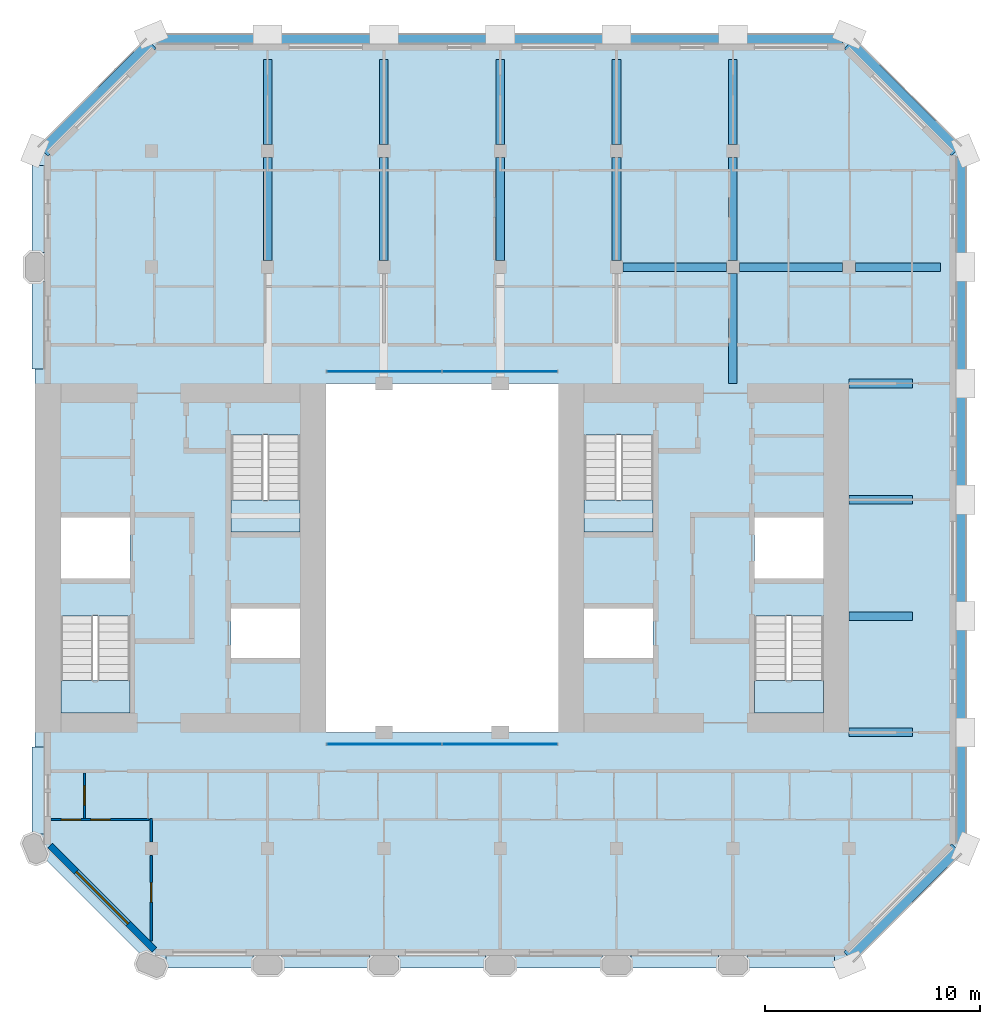
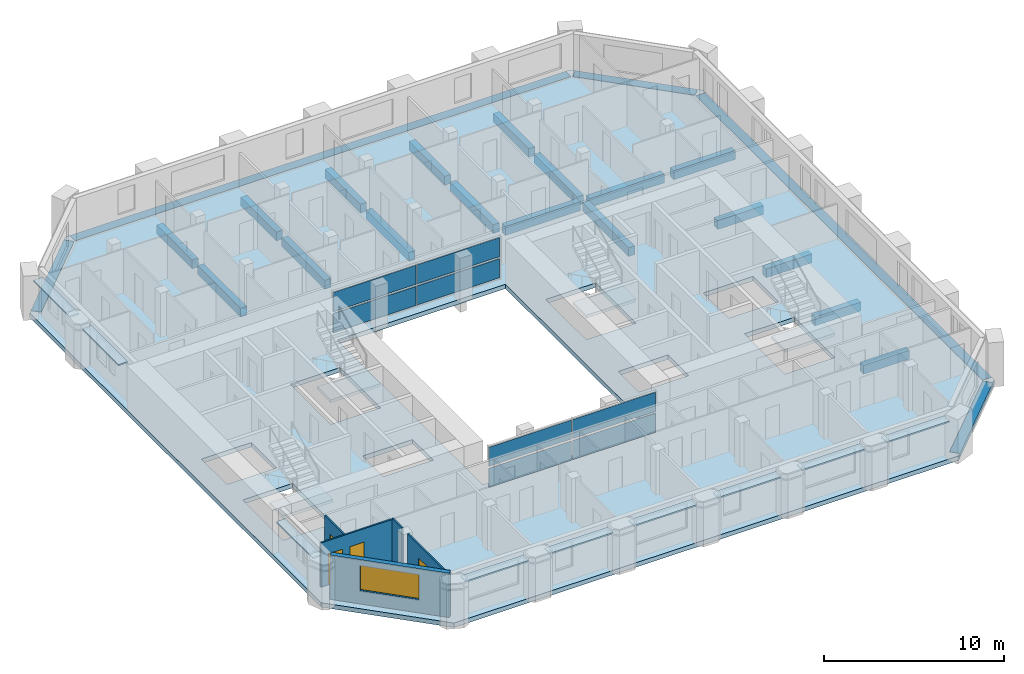
# One storey, part 3 of 13: 23 beams, 17 plates, 5 slabs, 5 walls, 4 doors, 1 window, 5 openings, 6 elements without a shape of their own.
"""IFC4 building model written with IfcOpenShell, lengths in metres."""

from ifc_helpers import new_model, si_unit, direction, frame, frame_2d, origin, origin_2d, place, context, subcontext, project, spatial, polyline, rectangle, outline, extrude, material, layer, layer_set, material_profile, profile_set, type_object, element, fill, aggregate, save


model = new_model("IFC4")

# Units and contexts
model_context = context("Model", 3, precision=1e-05, world=origin(), true_north=direction((0.0, 1.0)))
body_context = subcontext(model_context, "Body", "Model", "MODEL_VIEW")
ifc_project = project(units=[si_unit("LENGTHUNIT", "METRE"), si_unit("AREAUNIT", "SQUARE_METRE"), si_unit("VOLUMEUNIT", "CUBIC_METRE"), si_unit("PLANEANGLEUNIT", "RADIAN"), si_unit("MASSUNIT", "GRAM", prefix="KILO")], contexts=[model_context])

# Site, building, storey
site_placement = place(None, origin())
site = spatial("IfcSite", under=ifc_project, at=site_placement, CompositionType="ELEMENT")
building_placement = place(site_placement, origin())
building = spatial("IfcBuilding", under=site, at=building_placement, Name="Tabaq Tower and Sports Hall", CompositionType="ELEMENT")
storey_placement = place(building_placement, frame((0.0, 0.0, 301.60009765625)))
storey = spatial("IfcBuildingStorey", under=building, at=storey_placement, Name="L75", CompositionType="ELEMENT", Elevation=301.60009765625)

# Beams
ifc_material_1 = material(Name="Concrete C40/50", Category="concrete")
ifc_material_profile_1 = material_profile(ifc_material_1, rectangle(XDim=0.39990234375, YDim=0.60009765625, at=origin_2d()), Name="CB 400x600")
ifc_profile_set_1 = profile_set([ifc_material_profile_1], Name="Concrete C40/50")
beam_type_1 = type_object("IfcBeamType", Name="PT CANTILEVER BEAM CB 400x600 C40/50", PredefinedType="BEAM", material=ifc_profile_set_1)
for number, where, z_axis, x_axis, name in (
    (1, (46.14990234375, 16.199951171875, -0.60009765625), (-1.0, 0.0, 0.0), (0.0, -1.0, 0.0), "Cantilever Beam L75 E3 span 1"),
    (2, (46.14990234375, 21.60009765625, -0.60009765625), (-1.0, 0.0, 0.0), (0.0, -1.0, 0.0), "Cantilever Beam L75 E4 span 1"),
    (3, (46.14990234375, 27.0, -0.60009765625), (-1.0, 0.0, 0.0), (0.0, -1.0, 0.0), "Cantilever Beam L75 E5 span 1"),
    (4, (46.14990234375, 32.39990234375, -0.60009765625), (-1.0, 0.0, 0.0), (0.0, -1.0, 0.0), "Cantilever Beam L75 E6 span 1"),
):
    element("IfcBeam", number, at=place(storey_placement, frame(where, z_axis=z_axis, x_axis=x_axis)), inside=storey, type_object=beam_type_1, Name=name, PredefinedType="BEAM", context=body_context, shape_type="SweptSolid", body=[
        extrude(rectangle(XDim=0.39990234375, YDim=0.60009765625, at=origin_2d()), origin(), (0.0, 0.0, 1.0), 2.949951171875),
    ])
beam_1_placement = place(storey_placement, frame((47.449951171875, 37.800048828125, -0.60009765625), z_axis=(-1.0, 0.0, 0.0), x_axis=(0.0, -1.0, 0.0)))
element("IfcBeam", 5, at=beam_1_placement, inside=storey, type_object=beam_type_1, Name="Cantilever Beam L75 E7 span 1", PredefinedType="BEAM", context=body_context, shape_type="SweptSolid", body=[
    extrude(rectangle(XDim=0.39990234375, YDim=0.60009765625, at=origin_2d()), origin(), (0.0, 0.0, 1.0), 3.949951171875),
])
beam_2_placement = place(storey_placement, frame((42.89990234375, 37.800048828125, -0.60009765625), z_axis=(-1.0, 0.0, 0.0), x_axis=(0.0, -1.0, 0.0)))
element("IfcBeam", 6, at=beam_2_placement, inside=storey, type_object=beam_type_1, Name="Cantilever Beam L75 E7 span 2", PredefinedType="BEAM", context=body_context, shape_type="SweptSolid", body=[
    extrude(rectangle(XDim=0.39990234375, YDim=0.60009765625, at=origin_2d()), origin(), (0.0, 0.0, 1.0), 4.7998046875),
])
beam_3_placement = place(storey_placement, frame((37.5, 37.800048828125, -0.60009765625), z_axis=(-1.0, 0.0, 0.0), x_axis=(0.0, -1.0, 0.0)))
element("IfcBeam", 7, at=beam_3_placement, inside=storey, type_object=beam_type_1, Name="Cantilever Beam L75 E7 span 3", PredefinedType="BEAM", context=body_context, shape_type="SweptSolid", body=[
    extrude(rectangle(XDim=0.39990234375, YDim=0.60009765625, at=origin_2d()), origin(), (0.0, 0.0, 1.0), 4.800048828125),
])
beam_4_placement = place(storey_placement, frame((16.199951171875, 47.449951171875, -0.60009765625), z_axis=(0.0, -1.0, 0.0), x_axis=(1.0, 0.0, 0.0)))
element("IfcBeam", 8, at=beam_4_placement, inside=storey, type_object=beam_type_1, Name="Cantilever Beam L75 N3 span 1", PredefinedType="BEAM", context=body_context, shape_type="SweptSolid", body=[
    extrude(rectangle(XDim=0.39990234375, YDim=0.60009765625, at=origin_2d()), origin(), (0.0, 0.0, 1.0), 3.949951171875),
])
beam_5_placement = place(storey_placement, frame((16.199951171875, 42.89990234375, -0.60009765625), z_axis=(0.0, -1.0, 0.0), x_axis=(1.0, 0.0, 0.0)))
element("IfcBeam", 9, at=beam_5_placement, inside=storey, type_object=beam_type_1, Name="Cantilever Beam L75 N3 span 2", PredefinedType="BEAM", context=body_context, shape_type="SweptSolid", body=[
    extrude(rectangle(XDim=0.39990234375, YDim=0.60009765625, at=origin_2d()), origin(), (0.0, 0.0, 1.0), 4.7998046875),
])
beam_6_placement = place(storey_placement, frame((21.60009765625, 47.449951171875, -0.60009765625), z_axis=(0.0, -1.0, 0.0), x_axis=(1.0, 0.0, 0.0)))
element("IfcBeam", 10, at=beam_6_placement, inside=storey, type_object=beam_type_1, Name="Cantilever Beam L75 N4 span 1", PredefinedType="BEAM", context=body_context, shape_type="SweptSolid", body=[
    extrude(rectangle(XDim=0.39990234375, YDim=0.60009765625, at=origin_2d()), origin(), (0.0, 0.0, 1.0), 3.949951171875),
])
beam_7_placement = place(storey_placement, frame((21.60009765625, 42.89990234375, -0.60009765625), z_axis=(0.0, -1.0, 0.0), x_axis=(1.0, 0.0, 0.0)))
element("IfcBeam", 11, at=beam_7_placement, inside=storey, type_object=beam_type_1, Name="Cantilever Beam L75 N4 span 2", PredefinedType="BEAM", context=body_context, shape_type="SweptSolid", body=[
    extrude(rectangle(XDim=0.39990234375, YDim=0.60009765625, at=origin_2d()), origin(), (0.0, 0.0, 1.0), 4.7998046875),
])
beam_8_placement = place(storey_placement, frame((27.0, 47.449951171875, -0.60009765625), z_axis=(0.0, -1.0, 0.0), x_axis=(1.0, 0.0, 0.0)))
element("IfcBeam", 12, at=beam_8_placement, inside=storey, type_object=beam_type_1, Name="Cantilever Beam L75 N5 span 1", PredefinedType="BEAM", context=body_context, shape_type="SweptSolid", body=[
    extrude(rectangle(XDim=0.39990234375, YDim=0.60009765625, at=origin_2d()), origin(), (0.0, 0.0, 1.0), 3.949951171875),
])
beam_9_placement = place(storey_placement, frame((27.0, 42.89990234375, -0.60009765625), z_axis=(0.0, -1.0, 0.0), x_axis=(1.0, 0.0, 0.0)))
element("IfcBeam", 13, at=beam_9_placement, inside=storey, type_object=beam_type_1, Name="Cantilever Beam L75 N5 span 2", PredefinedType="BEAM", context=body_context, shape_type="SweptSolid", body=[
    extrude(rectangle(XDim=0.39990234375, YDim=0.60009765625, at=origin_2d()), origin(), (0.0, 0.0, 1.0), 4.7998046875),
])
beam_10_placement = place(storey_placement, frame((32.39990234375, 47.449951171875, -0.60009765625), z_axis=(0.0, -1.0, 0.0), x_axis=(1.0, 0.0, 0.0)))
element("IfcBeam", 14, at=beam_10_placement, inside=storey, type_object=beam_type_1, Name="Cantilever Beam L75 N6 span 1", PredefinedType="BEAM", context=body_context, shape_type="SweptSolid", body=[
    extrude(rectangle(XDim=0.39990234375, YDim=0.60009765625, at=origin_2d()), origin(), (0.0, 0.0, 1.0), 3.949951171875),
])
beam_11_placement = place(storey_placement, frame((32.39990234375, 42.89990234375, -0.60009765625), z_axis=(0.0, -1.0, 0.0), x_axis=(1.0, 0.0, 0.0)))
element("IfcBeam", 15, at=beam_11_placement, inside=storey, type_object=beam_type_1, Name="Cantilever Beam L75 N6 span 2", PredefinedType="BEAM", context=body_context, shape_type="SweptSolid", body=[
    extrude(rectangle(XDim=0.39990234375, YDim=0.60009765625, at=origin_2d()), origin(), (0.0, 0.0, 1.0), 4.7998046875),
])
beam_12_placement = place(storey_placement, frame((37.800048828125, 47.449951171875, -0.60009765625), z_axis=(0.0, -1.0, 0.0), x_axis=(1.0, 0.0, 0.0)))
element("IfcBeam", 16, at=beam_12_placement, inside=storey, type_object=beam_type_1, Name="Cantilever Beam L75 N7 span 1", PredefinedType="BEAM", context=body_context, shape_type="SweptSolid", body=[
    extrude(rectangle(XDim=0.39990234375, YDim=0.60009765625, at=origin_2d()), origin(), (0.0, 0.0, 1.0), 3.949951171875),
])
beam_13_placement = place(storey_placement, frame((37.800048828125, 42.89990234375, -0.60009765625), z_axis=(0.0, -1.0, 0.0), x_axis=(1.0, 0.0, 0.0)))
element("IfcBeam", 17, at=beam_13_placement, inside=storey, type_object=beam_type_1, Name="Cantilever Beam L75 N7 span 2", PredefinedType="BEAM", context=body_context, shape_type="SweptSolid", body=[
    extrude(rectangle(XDim=0.39990234375, YDim=0.60009765625, at=origin_2d()), origin(), (0.0, 0.0, 1.0), 4.7998046875),
])
beam_14_placement = place(storey_placement, frame((37.800048828125, 37.5, -0.60009765625), z_axis=(0.0, -1.0, 0.0), x_axis=(1.0, 0.0, 0.0)))
element("IfcBeam", 18, at=beam_14_placement, inside=storey, type_object=beam_type_1, Name="Cantilever Beam L75 N7 span 3", PredefinedType="BEAM", context=body_context, shape_type="SweptSolid", body=[
    extrude(rectangle(XDim=0.39990234375, YDim=0.60009765625, at=origin_2d()), origin(), (0.0, 0.0, 1.0), 5.10009765625),
])
ifc_material_2 = material(Name="Concrete C40/50", Category="concrete")
ifc_material_profile_2 = material_profile(ifc_material_2, rectangle(XDim=0.60009765625, YDim=0.300048828125, at=origin_2d()), Name="EB 600x300")
ifc_profile_set_2 = profile_set([ifc_material_profile_2], Name="Concrete C40/50")
beam_type_2 = type_object("IfcBeamType", Name="PT EDGE BEAM EB 600x300 C40/50", PredefinedType="SPANDREL", material=ifc_profile_set_2)
beam_15_placement = place(storey_placement, frame((43.16455078125, 5.788818359375, -0.150146484375), z_axis=(0.707106781187, 0.707106781187, 0.0), x_axis=(-0.707106781187, 0.707106781187, 0.0)))
element("IfcBeam", 19, at=beam_15_placement, inside=storey, type_object=beam_type_2, Name="Edge Beam L75 1", PredefinedType="SPANDREL", context=body_context, shape_type="SweptSolid", body=[
    extrude(rectangle(XDim=0.60009765625, YDim=0.300048828125, at=origin_2d()), origin(), (0.0, 0.0, 1.0), 7.08837890625),
])
beam_16_placement = place(storey_placement, frame((48.300048828125, 11.0986328125, -0.150146484375), z_axis=(0.0, 1.0, 0.0), x_axis=(-1.0, 0.0, 0.0)))
element("IfcBeam", 20, at=beam_16_placement, inside=storey, type_object=beam_type_2, Name="Edge Beam L75 2", PredefinedType="SPANDREL", context=body_context, shape_type="SweptSolid", body=[
    extrude(rectangle(XDim=0.60009765625, YDim=0.300048828125, at=origin_2d()), origin(), (0.0, 0.0, 1.0), 31.802734375),
])
beam_17_placement = place(storey_placement, frame((48.1767578125, 43.198974609375, -0.150146484375), z_axis=(-0.707106781187, 0.707106781187, 0.0), x_axis=(-0.707106781187, -0.707106781187, 0.0)))
element("IfcBeam", 21, at=beam_17_placement, inside=storey, type_object=beam_type_2, Name="Edge Beam L75 3", PredefinedType="SPANDREL", context=body_context, shape_type="SweptSolid", body=[
    extrude(rectangle(XDim=0.60009765625, YDim=0.300048828125, at=origin_2d()), origin(), (0.0, 0.0, 1.0), 7.03955078125),
])
beam_18_placement = place(storey_placement, frame((42.9013671875, 48.300048828125, -0.150146484375), z_axis=(-1.0, 0.0, 0.0), x_axis=(0.0, -1.0, 0.0)))
element("IfcBeam", 22, at=beam_18_placement, inside=storey, type_object=beam_type_2, Name="Edge Beam L75 4", PredefinedType="SPANDREL", context=body_context, shape_type="SweptSolid", body=[
    extrude(rectangle(XDim=0.60009765625, YDim=0.300048828125, at=origin_2d()), origin(), (0.0, 0.0, 1.0), 31.802734375),
])
beam_19_placement = place(storey_placement, frame((10.801025390625, 48.1767578125, -0.150146484375), z_axis=(-0.707106781187, -0.707106781187, 0.0), x_axis=(0.707106781187, -0.707106781187, 0.0)))
element("IfcBeam", 23, at=beam_19_placement, inside=storey, type_object=beam_type_2, Name="Edge Beam L75 5", PredefinedType="SPANDREL", context=body_context, shape_type="SweptSolid", body=[
    extrude(rectangle(XDim=0.60009765625, YDim=0.300048828125, at=origin_2d()), origin(), (0.0, 0.0, 1.0), 7.08837890625),
])

# Curtain wall, plates
ifc_material_3 = material(Name="Aluminium alloy 6063-T6 framed glazing", Category="aluminium")
curtain_wall_type = type_object("IfcCurtainWallType", Name="CW1 curtain wall", PredefinedType="USERDEFINED", material=ifc_material_3)
curtain_wall_1_placement = place(storey_placement, origin())
curtain_wall_1 = element("IfcCurtainWall", 24, at=curtain_wall_1_placement, inside=storey, type_object=curtain_wall_type, Name="Atrium glazing L75 S", ObjectType="ATRIUM ENCLOSURE", PredefinedType="USERDEFINED")
ifc_material_4 = material(Name="Clear low-emissivity glass 28 mm", Category="glass")
ifc_layer_1 = layer(ifc_material_4, 0.028076171875)
ifc_layer_set_1 = layer_set([ifc_layer_1], Name="CW1 glass panel 28")
plate_type_1 = type_object("IfcPlateType", Name="CW1 glass panel 28", PredefinedType="CURTAIN_PANEL", material=ifc_layer_set_1)
plate_1_placement = place(storey_placement, frame((21.614990234375, 15.64990234375, 0.139892578125), z_axis=(0.0, 0.0, 1.0), x_axis=(1.0, 0.0, 0.0)))
plate_1 = element("IfcPlate", 25, at=plate_1_placement, type_object=plate_type_1, Name="CW1 panel 1.1", PredefinedType="CURTAIN_PANEL", context=body_context, shape_type="SweptSolid", body=[
    extrude(rectangle(XDim=5.31005859375, YDim=0.028076171875, at=origin_2d()), origin(), (0.0, 0.0, 1.0), 1.2900390625),
])
plate_2_placement = place(storey_placement, frame((21.614990234375, 15.64990234375, 1.56982421875), z_axis=(0.0, 0.0, 1.0), x_axis=(1.0, 0.0, 0.0)))
plate_2 = element("IfcPlate", 26, at=plate_2_placement, type_object=plate_type_1, Name="CW1 panel 1.2", PredefinedType="CURTAIN_PANEL", context=body_context, shape_type="SweptSolid", body=[
    extrude(rectangle(XDim=5.31005859375, YDim=0.028076171875, at=origin_2d()), origin(), (0.0, 0.0, 1.0), 1.2900390625),
])
plate_3_placement = place(storey_placement, frame((26.985107421875, 15.64990234375, 0.139892578125), z_axis=(0.0, 0.0, 1.0), x_axis=(1.0, 0.0, 0.0)))
plate_3 = element("IfcPlate", 27, at=plate_3_placement, type_object=plate_type_1, Name="CW1 panel 2.1", PredefinedType="CURTAIN_PANEL", context=body_context, shape_type="SweptSolid", body=[
    extrude(rectangle(XDim=5.31005859375, YDim=0.028076171875, at=origin_2d()), origin(), (0.0, 0.0, 1.0), 1.2900390625),
])
plate_4_placement = place(storey_placement, frame((26.985107421875, 15.64990234375, 1.56982421875), z_axis=(0.0, 0.0, 1.0), x_axis=(1.0, 0.0, 0.0)))
plate_4 = element("IfcPlate", 28, at=plate_4_placement, type_object=plate_type_1, Name="CW1 panel 2.2", PredefinedType="CURTAIN_PANEL", context=body_context, shape_type="SweptSolid", body=[
    extrude(rectangle(XDim=5.31005859375, YDim=0.028076171875, at=origin_2d()), origin(), (0.0, 0.0, 1.0), 1.2900390625),
])
aggregate(curtain_wall_1, [plate_1, plate_2, plate_3, plate_4])

curtain_wall_2_placement = place(storey_placement, origin())
curtain_wall_2 = element("IfcCurtainWall", 29, at=curtain_wall_2_placement, inside=storey, type_object=curtain_wall_type, Name="Atrium glazing L75 N", ObjectType="ATRIUM ENCLOSURE", PredefinedType="USERDEFINED")
plate_5_placement = place(storey_placement, frame((21.614990234375, 32.949951171875, 0.139892578125), z_axis=(0.0, 0.0, 1.0), x_axis=(1.0, 0.0, 0.0)))
plate_5 = element("IfcPlate", 30, at=plate_5_placement, type_object=plate_type_1, Name="CW1 panel 1.1", PredefinedType="CURTAIN_PANEL", context=body_context, shape_type="SweptSolid", body=[
    extrude(rectangle(XDim=5.31005859375, YDim=0.028076171875, at=origin_2d()), origin(), (0.0, 0.0, 1.0), 1.2900390625),
])
plate_6_placement = place(storey_placement, frame((21.614990234375, 32.949951171875, 1.56982421875), z_axis=(0.0, 0.0, 1.0), x_axis=(1.0, 0.0, 0.0)))
plate_6 = element("IfcPlate", 31, at=plate_6_placement, type_object=plate_type_1, Name="CW1 panel 1.2", PredefinedType="CURTAIN_PANEL", context=body_context, shape_type="SweptSolid", body=[
    extrude(rectangle(XDim=5.31005859375, YDim=0.028076171875, at=origin_2d()), origin(), (0.0, 0.0, 1.0), 1.2900390625),
])
plate_7_placement = place(storey_placement, frame((26.985107421875, 32.949951171875, 0.139892578125), z_axis=(0.0, 0.0, 1.0), x_axis=(1.0, 0.0, 0.0)))
plate_7 = element("IfcPlate", 32, at=plate_7_placement, type_object=plate_type_1, Name="CW1 panel 2.1", PredefinedType="CURTAIN_PANEL", context=body_context, shape_type="SweptSolid", body=[
    extrude(rectangle(XDim=5.31005859375, YDim=0.028076171875, at=origin_2d()), origin(), (0.0, 0.0, 1.0), 1.2900390625),
])
plate_8_placement = place(storey_placement, frame((26.985107421875, 32.949951171875, 1.56982421875), z_axis=(0.0, 0.0, 1.0), x_axis=(1.0, 0.0, 0.0)))
plate_8 = element("IfcPlate", 33, at=plate_8_placement, type_object=plate_type_1, Name="CW1 panel 2.2", PredefinedType="CURTAIN_PANEL", context=body_context, shape_type="SweptSolid", body=[
    extrude(rectangle(XDim=5.31005859375, YDim=0.028076171875, at=origin_2d()), origin(), (0.0, 0.0, 1.0), 1.2900390625),
])
aggregate(curtain_wall_2, [plate_5, plate_6, plate_7, plate_8])

# Stair, slab
ifc_material_5 = material(Name="Concrete C40/50", Category="concrete")
stair_type = type_object("IfcStairType", Name="Exit stair", PredefinedType="HALF_TURN_STAIR", material=ifc_material_5)
stair_1_placement = place(storey_placement, origin())
stair_1 = element("IfcStair", 34, at=stair_1_placement, inside=storey, type_object=stair_type, Name="L75 Exit stair ST1", PredefinedType="HALF_TURN_STAIR")
ifc_material_6 = material(Name="Concrete C40/50", Category="concrete")
ifc_layer_2 = layer(ifc_material_6, 0.199951171875)
ifc_layer_set_2 = layer_set([ifc_layer_2], Name="Exit stair landing")
slab_type_1 = type_object("IfcSlabType", Name="Exit stair landing", PredefinedType="LANDING", material=ifc_layer_set_2)
slab_1_placement = place(storey_placement, frame((0.0, 0.0, 1.449951171875)))
slab_1 = element("IfcSlab", 35, at=slab_1_placement, type_object=slab_type_1, Name="ST1 landing 1", PredefinedType="LANDING", context=body_context, shape_type="SweptSolid", body=[
    extrude(outline(polyline([(6.60009765625, 18.60009765625), (6.60009765625, 17.10009765625), (9.800048828125, 17.10009765625), (9.800048828125, 18.60009765625), (6.60009765625, 18.60009765625)])), origin(), (0.0, 0.0, 1.0), 0.199951171875),
])
aggregate(stair_1, [slab_1])

stair_2_placement = place(storey_placement, origin())
stair_2 = element("IfcStair", 36, at=stair_2_placement, inside=storey, type_object=stair_type, Name="L75 Exit stair ST2", PredefinedType="HALF_TURN_STAIR")
slab_2_placement = place(storey_placement, frame((0.0, 0.0, 1.449951171875)))
slab_2 = element("IfcSlab", 37, at=slab_2_placement, type_object=slab_type_1, Name="ST2 landing 1", PredefinedType="LANDING", context=body_context, shape_type="SweptSolid", body=[
    extrude(outline(polyline([(14.5, 27.0), (14.5, 25.5), (17.699951171875, 25.5), (17.699951171875, 27.0), (14.5, 27.0)])), origin(), (0.0, 0.0, 1.0), 0.199951171875),
])
aggregate(stair_2, [slab_2])

stair_3_placement = place(storey_placement, origin())
stair_3 = element("IfcStair", 38, at=stair_3_placement, inside=storey, type_object=stair_type, Name="L75 Exit stair ST3", PredefinedType="HALF_TURN_STAIR")
slab_3_placement = place(storey_placement, frame((0.0, 0.0, 1.449951171875)))
slab_3 = element("IfcSlab", 39, at=slab_3_placement, type_object=slab_type_1, Name="ST3 landing 1", PredefinedType="LANDING", context=body_context, shape_type="SweptSolid", body=[
    extrude(outline(polyline([(38.800048828125, 18.60009765625), (38.800048828125, 17.10009765625), (42.0, 17.10009765625), (42.0, 18.60009765625), (38.800048828125, 18.60009765625)])), origin(), (0.0, 0.0, 1.0), 0.199951171875),
])
aggregate(stair_3, [slab_3])

stair_4_placement = place(storey_placement, origin())
stair_4 = element("IfcStair", 40, at=stair_4_placement, inside=storey, type_object=stair_type, Name="L75 Exit stair ST4", PredefinedType="HALF_TURN_STAIR")
slab_4_placement = place(storey_placement, frame((0.0, 0.0, 1.449951171875)))
slab_4 = element("IfcSlab", 41, at=slab_4_placement, type_object=slab_type_1, Name="ST4 landing 1", PredefinedType="LANDING", context=body_context, shape_type="SweptSolid", body=[
    extrude(outline(polyline([(30.89990234375, 27.0), (30.89990234375, 25.5), (34.10009765625, 25.5), (34.10009765625, 27.0), (30.89990234375, 27.0)])), origin(), (0.0, 0.0, 1.0), 0.199951171875),
])
aggregate(stair_4, [slab_4])

# Slab
ifc_material_7 = material(Name="Concrete C40/50", Category="concrete")
ifc_layer_3 = layer(ifc_material_7, 0.300048828125)
ifc_layer_set_3 = layer_set([ifc_layer_3], Name="PT FLOOR SLAB 300 C40/50")
slab_type_2 = type_object("IfcSlabType", Name="PT FLOOR SLAB 300 C40/50", PredefinedType="FLOOR", material=ifc_layer_set_3)
slab_5_placement = place(storey_placement, frame((0.0, 0.0, -0.300048828125)))
element("IfcSlab", 42, at=slab_5_placement, inside=storey, type_object=slab_type_2, Name="Floor Slab L75", PredefinedType="FLOOR", context=body_context, shape_type="SweptSolid", body=[
    extrude(outline(polyline([(5.39990234375, 43.199951171875), (5.39990234375, 10.800048828125), (10.800048828125, 5.39990234375), (43.199951171875, 5.39990234375), (43.376708984375, 5.57666015625), (42.952392578125, 6.0009765625), (47.964599609375, 11.01318359375), (48.035400390625, 10.9423828125), (48.388916015625, 10.5888671875), (48.60009765625, 10.800048828125), (48.60009765625, 11.0986328125), (48.10009765625, 11.0986328125), (48.0, 11.0986328125), (48.0, 42.9013671875), (48.10009765625, 42.9013671875), (48.60009765625, 42.9013671875), (48.60009765625, 43.199951171875), (48.388916015625, 43.4111328125), (48.035400390625, 43.0576171875), (47.964599609375, 42.98681640625), (42.98681640625, 47.964599609375), (43.0576171875, 48.035400390625), (43.4111328125, 48.388916015625), (43.199951171875, 48.60009765625), (42.9013671875, 48.60009765625), (42.9013671875, 48.10009765625), (42.9013671875, 48.0), (11.0986328125, 48.0), (11.0986328125, 48.10009765625), (11.0986328125, 48.60009765625), (10.800048828125, 48.60009765625), (10.5888671875, 48.388916015625), (10.9423828125, 48.035400390625), (11.01318359375, 47.964599609375), (6.0009765625, 42.952392578125), (5.57666015625, 43.376708984375), (5.39990234375, 43.199951171875)]), holes=[polyline([(6.60009765625, 21.599365234375), (9.800048828125, 21.599365234375), (9.800048828125, 17.10009765625), (6.60009765625, 17.10009765625), (6.60009765625, 21.599365234375)]), polyline([(38.800048828125, 21.599365234375), (42.0, 21.599365234375), (42.0, 17.10009765625), (38.800048828125, 17.10009765625), (38.800048828125, 21.599365234375)]), polyline([(14.5, 21.949951171875), (17.699951171875, 21.949951171875), (17.699951171875, 19.64990234375), (14.5, 19.64990234375), (14.5, 21.949951171875)]), polyline([(30.89990234375, 21.949951171875), (34.10009765625, 21.949951171875), (34.10009765625, 19.64990234375), (30.89990234375, 19.64990234375), (30.89990234375, 21.949951171875)]), polyline([(18.89990234375, 16.199951171875), (18.89990234375, 32.39990234375), (29.699951171875, 32.39990234375), (29.699951171875, 16.199951171875), (18.89990234375, 16.199951171875)]), polyline([(6.60009765625, 26.175048828125), (9.800048828125, 26.175048828125), (9.800048828125, 23.35009765625), (6.60009765625, 23.35009765625), (6.60009765625, 26.175048828125)]), polyline([(38.800048828125, 26.175048828125), (42.0, 26.175048828125), (42.0, 23.35009765625), (38.800048828125, 23.35009765625), (38.800048828125, 26.175048828125)]), polyline([(17.699951171875, 29.99951171875), (17.699951171875, 25.5), (14.5, 25.5), (14.5, 29.99951171875), (17.699951171875, 29.99951171875)]), polyline([(34.10009765625, 29.99951171875), (34.10009765625, 25.5), (30.89990234375, 25.5), (30.89990234375, 29.99951171875), (34.10009765625, 29.99951171875)])]), origin(), (0.0, 0.0, 1.0), 0.300048828125),
])

# Plates
ifc_material_8 = material(Name="White precast concrete C60/75 blade", Category="concrete")
ifc_layer_4 = layer(ifc_material_8, 0.10009765625)
ifc_layer_set_4 = layer_set([ifc_layer_4], Name="White precast concrete C60/75 sunshade 100")
plate_type_2 = type_object("IfcPlateType", Name="White precast concrete C60/75 sunshade 100", PredefinedType="USERDEFINED", material=ifc_layer_set_4)
for number, where, z_axis, x_axis, name in (
    (43, (13.5, 5.550048828125, 2.599853515625), (0.0, 0.0, 1.0), (1.0, 0.0, 0.0), "Sunshade L75 S"),
    (44, (18.89990234375, 5.550048828125, 2.599853515625), (0.0, 0.0, 1.0), (1.0, 0.0, 0.0), "Sunshade L75 S"),
    (45, (24.300048828125, 5.550048828125, 2.599853515625), (0.0, 0.0, 1.0), (1.0, 0.0, 0.0), "Sunshade L75 S"),
    (46, (29.699951171875, 5.550048828125, 2.599853515625), (0.0, 0.0, 1.0), (1.0, 0.0, 0.0), "Sunshade L75 S"),
    (47, (35.10009765625, 5.550048828125, 2.599853515625), (0.0, 0.0, 1.0), (1.0, 0.0, 0.0), "Sunshade L75 S"),
    (48, (40.5, 5.550048828125, 2.599853515625), (0.0, 0.0, 1.0), (1.0, 0.0, 0.0), "Sunshade L75 S"),
    (49, (5.550048828125, 40.5, 2.599853515625), (0.0, 0.0, 1.0), (0.0, -1.0, 0.0), "Sunshade L75 W"),
    (50, (5.550048828125, 35.10009765625, 2.599853515625), (0.0, 0.0, 1.0), (0.0, -1.0, 0.0), "Sunshade L75 W"),
    (51, (5.550048828125, 13.5, 2.599853515625), (0.0, 0.0, 1.0), (0.0, -1.0, 0.0), "Sunshade L75 W"),
):
    element("IfcPlate", number, at=place(storey_placement, frame(where, z_axis=z_axis, x_axis=x_axis)), inside=storey, type_object=plate_type_2, Name=name, ObjectType="SUNSHADE", PredefinedType="USERDEFINED", context=body_context, shape_type="SweptSolid", body=[
        extrude(rectangle(XDim=4.050048828125, YDim=0.60009765625, at=origin_2d()), origin(), (0.0, 0.0, 1.0), 0.10009765625),
    ])

# Wall, opening, door
ifc_material_9 = material(Name="Gypsum board on steel studs", Category="steel")
ifc_layer_5 = layer(ifc_material_9, 0.10009765625)
ifc_layer_set_5 = layer_set([ifc_layer_5], Name="Partition 100 Gypsum board")
wall_type_1 = type_object("IfcWallType", Name="Partition 100 Gypsum board", PredefinedType="PARTITIONING", material=ifc_layer_set_5)
wall_1_placement = place(storey_placement, frame((10.800048828125, 6.51220703125, 0.0), z_axis=(0.0, 0.0, 1.0), x_axis=(0.0, 1.0, 0.0)))
wall_1 = element("IfcWall", 52, at=wall_1_placement, inside=storey, type_object=wall_type_1, Name="Partition wall L75", PredefinedType="PARTITIONING", context=body_context, shape_type="SweptSolid", body=[
    extrude(rectangle(XDim=3.9677734375, YDim=0.10009765625, at=frame_2d((1.98388671875, 0.0))), origin(), (0.0, 0.0, 1.0), 3.0),
])
opening_1_placement = place(wall_1_placement, frame((1.81298828125, 0.0, 0.0)))
opening_1 = element("IfcOpeningElement", 53, at=opening_1_placement, cuts=wall_1, Name="Opening L75-039", PredefinedType="OPENING", context=body_context, shape_type="SweptSolid", body=[
    extrude(rectangle(XDim=0.89990234375, YDim=2.10009765625, at=frame_2d((0.449951171875, 1.050048828125))), frame((0.0, 0.050048828125, 0.0), z_axis=(0.0, -1.0, 0.0), x_axis=(1.0, 0.0, 0.0)), (0.0, 0.0, 1.0), 0.10009765625),
])
ifc_material_10 = material(Name="Timber leaf in steel frame", Category="steel")
door_type_1 = type_object("IfcDoorType", Name="Internal door 900 left hand", OperationType="SINGLE_SWING_LEFT", PredefinedType="DOOR", material=ifc_material_10)
door_1_placement = place(opening_1_placement, origin())
door_1 = element("IfcDoor", 54, at=door_1_placement, inside=storey, type_object=door_type_1, Name="Internal door L75-039", OperationType="SINGLE_SWING_LEFT", OverallHeight=2.10009765625, OverallWidth=0.89990234375, PredefinedType="DOOR", context=body_context, shape_type="SweptSolid", body=[
    extrude(rectangle(XDim=0.89990234375, YDim=2.10009765625, at=frame_2d((0.449951171875, 1.050048828125))), frame((0.0, 0.02490234375, 0.0), z_axis=(0.0, -1.0, 0.0), x_axis=(1.0, 0.0, 0.0)), (0.0, 0.0, 1.0), 0.050048828125),
])
fill(opening_1, door_1)

# Wall
wall_2_placement = place(storey_placement, frame((10.800048828125, 11.1201171875, 0.0), z_axis=(0.0, 0.0, 1.0), x_axis=(0.0, 1.0, 0.0)))
element("IfcWall", 55, at=wall_2_placement, inside=storey, type_object=wall_type_1, Name="Partition wall L75", PredefinedType="PARTITIONING", context=body_context, shape_type="SweptSolid", body=[
    extrude(rectangle(XDim=1.079833984375, YDim=0.10009765625, at=frame_2d((0.5400390625, 0.0))), origin(), (0.0, 0.0, 1.0), 3.0),
])

# Wall, openings, doors
wall_3_placement = place(storey_placement, frame((10.68994140625, 12.14990234375, 0.0), z_axis=(0.0, 0.0, 1.0), x_axis=(-1.0, 0.0, 0.0)))
wall_3 = element("IfcWall", 56, at=wall_3_placement, inside=storey, type_object=wall_type_1, Name="Partition wall L75", PredefinedType="PARTITIONING", context=body_context, shape_type="SweptSolid", body=[
    extrude(rectangle(XDim=4.5390625, YDim=0.10009765625, at=frame_2d((2.26953125, 0.0))), origin(), (0.0, 0.0, 1.0), 3.0),
])
opening_2_placement = place(wall_3_placement, frame((3.159912109375, 0.0, 0.0)))
opening_2 = element("IfcOpeningElement", 57, at=opening_2_placement, cuts=wall_3, Name="Opening L75-040", PredefinedType="OPENING", context=body_context, shape_type="SweptSolid", body=[
    extrude(rectangle(XDim=0.89990234375, YDim=2.10009765625, at=frame_2d((0.449951171875, 1.050048828125))), frame((0.0, 0.050048828125, 0.0), z_axis=(0.0, -1.0, 0.0), x_axis=(1.0, 0.0, 0.0)), (0.0, 0.0, 1.0), 0.10009765625),
])
opening_3_placement = place(wall_3_placement, frame((1.7900390625, 0.0, 0.0)))
opening_3 = element("IfcOpeningElement", 58, at=opening_3_placement, cuts=wall_3, Name="Opening L75-055", PredefinedType="OPENING", context=body_context, shape_type="SweptSolid", body=[
    extrude(rectangle(XDim=0.89990234375, YDim=2.10009765625, at=frame_2d((0.449951171875, 1.050048828125))), frame((0.0, 0.050048828125, 0.0), z_axis=(0.0, -1.0, 0.0), x_axis=(1.0, 0.0, 0.0)), (0.0, 0.0, 1.0), 0.10009765625),
])
door_2_placement = place(opening_2_placement, origin())
door_2 = element("IfcDoor", 59, at=door_2_placement, inside=storey, type_object=door_type_1, Name="Internal door L75-040", OperationType="SINGLE_SWING_LEFT", OverallHeight=2.10009765625, OverallWidth=0.89990234375, PredefinedType="DOOR", context=body_context, shape_type="SweptSolid", body=[
    extrude(rectangle(XDim=0.89990234375, YDim=2.10009765625, at=frame_2d((0.449951171875, 1.050048828125))), frame((0.0, 0.02490234375, 0.0), z_axis=(0.0, -1.0, 0.0), x_axis=(1.0, 0.0, 0.0)), (0.0, 0.0, 1.0), 0.050048828125),
])
fill(opening_2, door_2)
ifc_material_11 = material(Name="Timber leaf in steel frame", Category="steel")
door_type_2 = type_object("IfcDoorType", Name="Internal door 900 right hand", OperationType="SINGLE_SWING_RIGHT", PredefinedType="DOOR", material=ifc_material_11)
door_3_placement = place(opening_3_placement, origin())
door_3 = element("IfcDoor", 60, at=door_3_placement, inside=storey, type_object=door_type_2, Name="Internal door L75-055", OperationType="SINGLE_SWING_RIGHT", OverallHeight=2.10009765625, OverallWidth=0.89990234375, PredefinedType="DOOR", context=body_context, shape_type="SweptSolid", body=[
    extrude(rectangle(XDim=0.89990234375, YDim=2.10009765625, at=frame_2d((0.449951171875, 1.050048828125))), frame((0.0, 0.02490234375, 0.0), z_axis=(0.0, -1.0, 0.0), x_axis=(1.0, 0.0, 0.0)), (0.0, 0.0, 1.0), 0.050048828125),
])
fill(opening_3, door_3)

# Wall, opening, door
wall_4_placement = place(storey_placement, frame((7.699951171875, 12.199951171875, 0.0), z_axis=(0.0, 0.0, 1.0), x_axis=(0.0, 1.0, 0.0)))
wall_4 = element("IfcWall", 61, at=wall_4_placement, inside=storey, type_object=wall_type_1, Name="Partition wall L75", PredefinedType="PARTITIONING", context=body_context, shape_type="SweptSolid", body=[
    extrude(rectangle(XDim=2.125, YDim=0.10009765625, at=frame_2d((1.0625, 0.0))), origin(), (0.0, 0.0, 1.0), 3.0),
])
opening_4_placement = place(wall_4_placement, frame((0.625, 0.0, 0.0)))
opening_4 = element("IfcOpeningElement", 62, at=opening_4_placement, cuts=wall_4, Name="Opening L75-041", PredefinedType="OPENING", context=body_context, shape_type="SweptSolid", body=[
    extrude(rectangle(XDim=0.89990234375, YDim=2.10009765625, at=frame_2d((0.449951171875, 1.050048828125))), frame((0.0, 0.050048828125, 0.0), z_axis=(0.0, -1.0, 0.0), x_axis=(1.0, 0.0, 0.0)), (0.0, 0.0, 1.0), 0.10009765625),
])
door_4_placement = place(opening_4_placement, origin())
door_4 = element("IfcDoor", 63, at=door_4_placement, inside=storey, type_object=door_type_2, Name="Internal door L75-041", OperationType="SINGLE_SWING_RIGHT", OverallHeight=2.10009765625, OverallWidth=0.89990234375, PredefinedType="DOOR", context=body_context, shape_type="SweptSolid", body=[
    extrude(rectangle(XDim=0.89990234375, YDim=2.10009765625, at=frame_2d((0.449951171875, 1.050048828125))), frame((0.0, 0.02490234375, 0.0), z_axis=(0.0, -1.0, 0.0), x_axis=(1.0, 0.0, 0.0)), (0.0, 0.0, 1.0), 0.050048828125),
])
fill(opening_4, door_4)

# Wall, opening, window
ifc_material_12 = material(Name="White precast concrete C60/75", Category="concrete")
ifc_layer_6 = layer(ifc_material_12, 0.300048828125)
ifc_layer_set_6 = layer_set([ifc_layer_6], Name="White precast concrete C60/75 external wall 300")
wall_type_2 = type_object("IfcWallType", Name="White precast concrete C60/75 external wall 300", PredefinedType="SOLIDWALL", material=ifc_layer_set_6)
wall_5_placement = place(storey_placement, frame((6.098876953125, 10.949462890625, 0.0), z_axis=(0.0, 0.0, 1.0), x_axis=(0.707106781187, -0.707106781187, 0.0)))
wall_5 = element("IfcWall", 64, at=wall_5_placement, inside=storey, type_object=wall_type_2, Name="External Wall L75 SW", PredefinedType="SOLIDWALL", context=body_context, shape_type="SweptSolid", body=[
    extrude(rectangle(XDim=6.85986328125, YDim=0.300048828125, at=frame_2d((3.429931640625, 0.0))), origin(), (0.0, 0.0, 1.0), 3.0),
])
opening_5_placement = place(wall_5_placement, frame((1.729736328125, 0.0, 0.89990234375)))
opening_5 = element("IfcOpeningElement", 65, at=opening_5_placement, cuts=wall_5, Name="Opening W1A", PredefinedType="OPENING", context=body_context, shape_type="SweptSolid", body=[
    extrude(rectangle(XDim=3.39990234375, YDim=1.699951171875, at=frame_2d((1.699951171875, 0.85009765625))), frame((0.0, 0.16015625, 0.0), z_axis=(0.0, -1.0, 0.0), x_axis=(1.0, 0.0, 0.0)), (0.0, 0.0, 1.0), 0.320068359375),
])
ifc_material_13 = material(Name="Aluminium framed clear glazing", Category="aluminium")
window_type = type_object("IfcWindowType", Name="Window W1A", PartitioningType="SINGLE_PANEL", PredefinedType="WINDOW", material=ifc_material_13)
window_placement = place(opening_5_placement, origin())
window = element("IfcWindow", 66, at=window_placement, inside=storey, type_object=window_type, Name="Window W1A L75", OverallHeight=1.699951171875, OverallWidth=3.39990234375, PartitioningType="SINGLE_PANEL", PredefinedType="WINDOW", context=body_context, shape_type="SweptSolid", body=[
    extrude(rectangle(XDim=3.39990234375, YDim=1.699951171875, at=frame_2d((1.699951171875, 0.85009765625))), frame((0.0, 0.030029296875, 0.0), z_axis=(0.0, -1.0, 0.0), x_axis=(1.0, 0.0, 0.0)), (0.0, 0.0, 1.0), 0.06005859375),
])
fill(opening_5, window)

save(model, "model.ifc")
